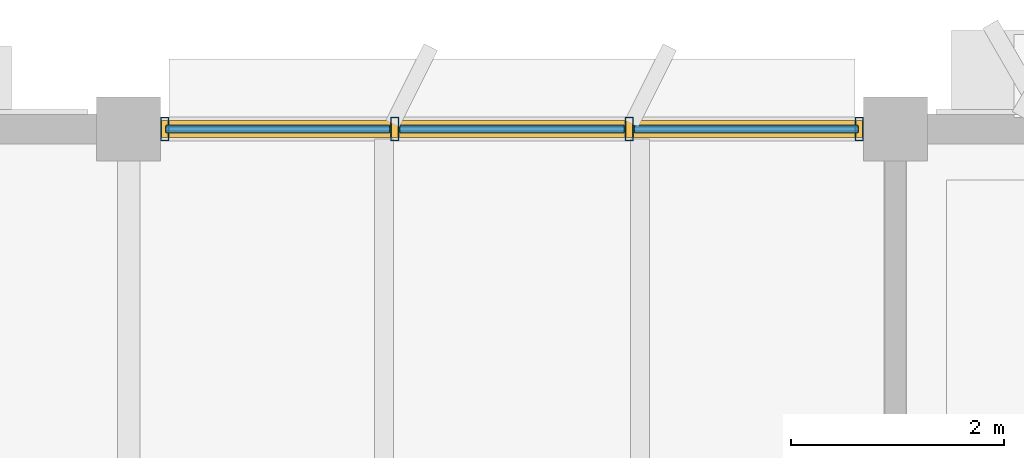
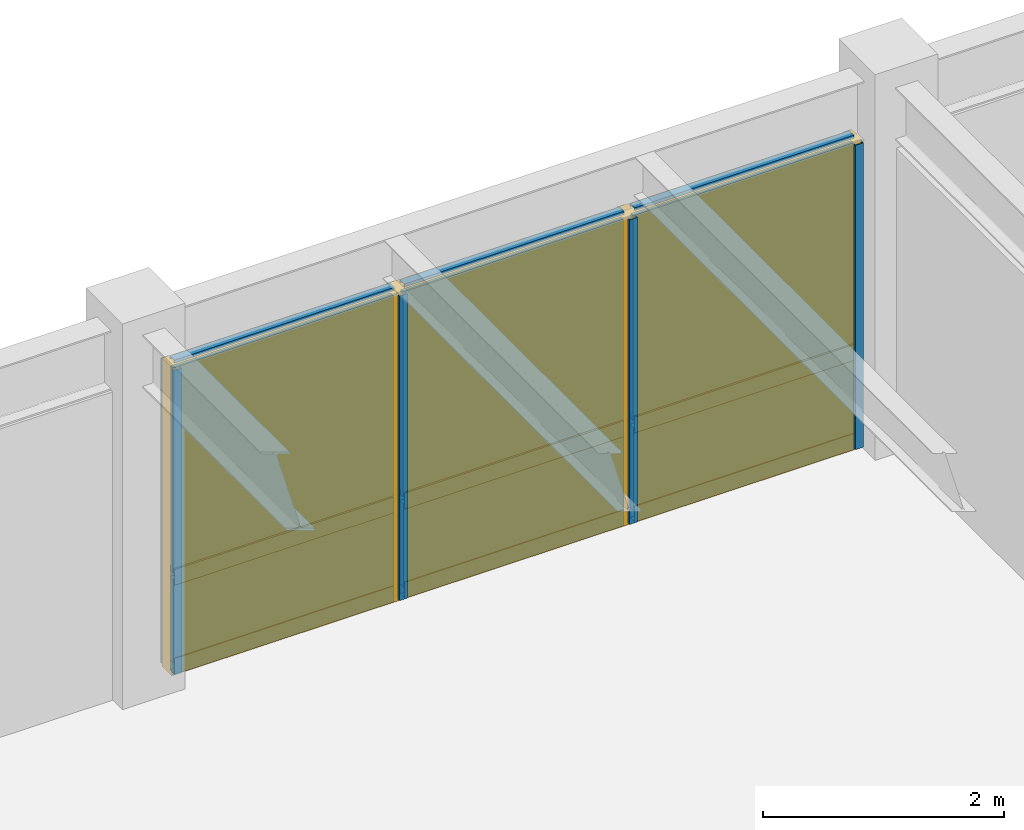
# One storey, part 68 of 82: 13 members, 6 plates, 1 curtain wall.
"""IFC4 building model written with IfcOpenShell, lengths in metres."""

from ifc_helpers import new_model, si_unit, direction, frame, origin, origin_2d, place, context, subcontext, project, spatial, rectangle, hollow_rectangle, extrude, material, layer, layer_set, material_profile, profile_set, type_object, element, aggregate, save


model = new_model("IFC4")

# Units and contexts
model_context = context("Model", 3, precision=1e-05, world=origin(), true_north=direction((0.0, 1.0)))
body_context = subcontext(model_context, "Body", "Model", "MODEL_VIEW")
ifc_project = project(units=[si_unit("LENGTHUNIT", "METRE"), si_unit("AREAUNIT", "SQUARE_METRE"), si_unit("VOLUMEUNIT", "CUBIC_METRE"), si_unit("PLANEANGLEUNIT", "RADIAN"), si_unit("MASSUNIT", "GRAM", prefix="KILO")], contexts=[model_context])

# Member
ifc_material_1 = material(Name="Anodized Aluminium 6063-T6", Category="aluminium")
ifc_material_profile_1 = material_profile(ifc_material_1, hollow_rectangle(XDim=0.074951171875, YDim=0.219970703125, WallThickness=0.0048828125, at=origin_2d()), Name="ALU 75x220x5")
ifc_profile_set_1 = profile_set([ifc_material_profile_1], Name="Anodized Aluminium 6063-T6")
member_type_1 = type_object("IfcMemberType", Name="CWM-75X180", PredefinedType="MULLION", material=ifc_profile_set_1)
site_placement = place(None, origin())
building_placement = place(site_placement, origin())
storey_placement = place(building_placement, frame((0.0, 0.0, 14.10009765625)))
member_1_placement = place(storey_placement, frame((93.93994140625, 115.199951171875, 0.02001953125), z_axis=(0.0, 0.0, 1.0), x_axis=(1.0, 0.0, 0.0)))
member_1 = element("IfcMember", 1, at=member_1_placement, type_object=member_type_1, Name="Curtain wall mullion CW-L04-13-15-N-00", PredefinedType="MULLION", context=body_context, shape_type="SweptSolid", body=[
    extrude(hollow_rectangle(XDim=0.074951171875, YDim=0.219970703125, WallThickness=0.0048828125, at=origin_2d()), origin(), (0.0, 0.0, 1.0), 3.077880859375),
])

member_2_placement = place(storey_placement, frame((96.10009765625, 115.199951171875, 0.02001953125), z_axis=(0.0, 0.0, 1.0), x_axis=(1.0, 0.0, 0.0)))
member_2 = element("IfcMember", 2, at=member_2_placement, type_object=member_type_1, Name="Curtain wall mullion CW-L04-13-15-N-01", PredefinedType="MULLION", context=body_context, shape_type="SweptSolid", body=[
    extrude(hollow_rectangle(XDim=0.074951171875, YDim=0.219970703125, WallThickness=0.0048828125, at=origin_2d()), origin(), (0.0, 0.0, 1.0), 3.077880859375),
])

member_3_placement = place(storey_placement, frame((98.300048828125, 115.199951171875, 0.02001953125), z_axis=(0.0, 0.0, 1.0), x_axis=(1.0, 0.0, 0.0)))
member_3 = element("IfcMember", 3, at=member_3_placement, type_object=member_type_1, Name="Curtain wall mullion CW-L04-13-15-N-02", PredefinedType="MULLION", context=body_context, shape_type="SweptSolid", body=[
    extrude(hollow_rectangle(XDim=0.074951171875, YDim=0.219970703125, WallThickness=0.0048828125, at=origin_2d()), origin(), (0.0, 0.0, 1.0), 3.077880859375),
])

member_4_placement = place(storey_placement, frame((100.4599609375, 115.199951171875, 0.02001953125), z_axis=(0.0, 0.0, 1.0), x_axis=(1.0, 0.0, 0.0)))
member_4 = element("IfcMember", 4, at=member_4_placement, type_object=member_type_1, Name="Curtain wall mullion CW-L04-13-15-N-03", PredefinedType="MULLION", context=body_context, shape_type="SweptSolid", body=[
    extrude(hollow_rectangle(XDim=0.074951171875, YDim=0.219970703125, WallThickness=0.0048828125, at=origin_2d()), origin(), (0.0, 0.0, 1.0), 3.077880859375),
])

ifc_material_profile_2 = material_profile(ifc_material_1, hollow_rectangle(XDim=0.074951171875, YDim=0.159912109375, WallThickness=0.00390625, at=origin_2d()), Name="ALU 75x160x4")
ifc_profile_set_2 = profile_set([ifc_material_profile_2], Name="Anodized Aluminium 6063-T6")
member_type_2 = type_object("IfcMemberType", Name="CWT-75X150", PredefinedType="USERDEFINED", material=ifc_profile_set_2)
member_5_placement = place(storey_placement, frame((93.949951171875, 115.199951171875, 0.0498046875), z_axis=(1.0, 0.0, 0.0), x_axis=(0.0, 1.0, 0.0)))
member_5 = element("IfcMember", 5, at=member_5_placement, type_object=member_type_2, Name="Curtain wall transom CW-L04-13-15-N-1.01", ObjectType="TRANSOM", PredefinedType="USERDEFINED", context=body_context, shape_type="SweptSolid", body=[
    extrude(hollow_rectangle(XDim=0.074951171875, YDim=0.159912109375, WallThickness=0.00390625, at=origin_2d()), origin(), (0.0, 0.0, 1.0), 2.10009765625),
])

member_6_placement = place(storey_placement, frame((96.14990234375, 115.199951171875, 0.0498046875), z_axis=(1.0, 0.0, 0.0), x_axis=(0.0, 1.0, 0.0)))
member_6 = element("IfcMember", 6, at=member_6_placement, type_object=member_type_2, Name="Curtain wall transom CW-L04-13-15-N-1.02", ObjectType="TRANSOM", PredefinedType="USERDEFINED", context=body_context, shape_type="SweptSolid", body=[
    extrude(hollow_rectangle(XDim=0.074951171875, YDim=0.159912109375, WallThickness=0.00390625, at=origin_2d()), origin(), (0.0, 0.0, 1.0), 2.10009765625),
])

member_7_placement = place(storey_placement, frame((98.35009765625, 115.199951171875, 0.0498046875), z_axis=(1.0, 0.0, 0.0), x_axis=(0.0, 1.0, 0.0)))
member_7 = element("IfcMember", 7, at=member_7_placement, type_object=member_type_2, Name="Curtain wall transom CW-L04-13-15-N-1.03", ObjectType="TRANSOM", PredefinedType="USERDEFINED", context=body_context, shape_type="SweptSolid", body=[
    extrude(hollow_rectangle(XDim=0.074951171875, YDim=0.159912109375, WallThickness=0.00390625, at=origin_2d()), origin(), (0.0, 0.0, 1.0), 2.099853515625),
])

member_8_placement = place(storey_placement, frame((93.949951171875, 115.199951171875, 0.949951171875), z_axis=(1.0, 0.0, 0.0), x_axis=(0.0, 1.0, 0.0)))
member_8 = element("IfcMember", 8, at=member_8_placement, type_object=member_type_2, Name="Curtain wall transom CW-L04-13-15-N-2.01", ObjectType="TRANSOM", PredefinedType="USERDEFINED", context=body_context, shape_type="SweptSolid", body=[
    extrude(hollow_rectangle(XDim=0.074951171875, YDim=0.159912109375, WallThickness=0.00390625, at=origin_2d()), origin(), (0.0, 0.0, 1.0), 2.10009765625),
])

member_9_placement = place(storey_placement, frame((96.14990234375, 115.199951171875, 0.949951171875), z_axis=(1.0, 0.0, 0.0), x_axis=(0.0, 1.0, 0.0)))
member_9 = element("IfcMember", 9, at=member_9_placement, type_object=member_type_2, Name="Curtain wall transom CW-L04-13-15-N-2.02", ObjectType="TRANSOM", PredefinedType="USERDEFINED", context=body_context, shape_type="SweptSolid", body=[
    extrude(hollow_rectangle(XDim=0.074951171875, YDim=0.159912109375, WallThickness=0.00390625, at=origin_2d()), origin(), (0.0, 0.0, 1.0), 2.10009765625),
])

member_10_placement = place(storey_placement, frame((98.35009765625, 115.199951171875, 0.949951171875), z_axis=(1.0, 0.0, 0.0), x_axis=(0.0, 1.0, 0.0)))
member_10 = element("IfcMember", 10, at=member_10_placement, type_object=member_type_2, Name="Curtain wall transom CW-L04-13-15-N-2.03", ObjectType="TRANSOM", PredefinedType="USERDEFINED", context=body_context, shape_type="SweptSolid", body=[
    extrude(hollow_rectangle(XDim=0.074951171875, YDim=0.159912109375, WallThickness=0.00390625, at=origin_2d()), origin(), (0.0, 0.0, 1.0), 2.099853515625),
])

member_11_placement = place(storey_placement, frame((93.949951171875, 115.199951171875, 3.06787109375), z_axis=(1.0, 0.0, 0.0), x_axis=(0.0, 1.0, 0.0)))
member_11 = element("IfcMember", 11, at=member_11_placement, type_object=member_type_2, Name="Curtain wall transom CW-L04-13-15-N-3.01", ObjectType="TRANSOM", PredefinedType="USERDEFINED", context=body_context, shape_type="SweptSolid", body=[
    extrude(hollow_rectangle(XDim=0.074951171875, YDim=0.159912109375, WallThickness=0.00390625, at=origin_2d()), origin(), (0.0, 0.0, 1.0), 2.10009765625),
])

member_12_placement = place(storey_placement, frame((96.14990234375, 115.199951171875, 3.06787109375), z_axis=(1.0, 0.0, 0.0), x_axis=(0.0, 1.0, 0.0)))
member_12 = element("IfcMember", 12, at=member_12_placement, type_object=member_type_2, Name="Curtain wall transom CW-L04-13-15-N-3.02", ObjectType="TRANSOM", PredefinedType="USERDEFINED", context=body_context, shape_type="SweptSolid", body=[
    extrude(hollow_rectangle(XDim=0.074951171875, YDim=0.159912109375, WallThickness=0.00390625, at=origin_2d()), origin(), (0.0, 0.0, 1.0), 2.10009765625),
])

member_13_placement = place(storey_placement, frame((98.35009765625, 115.199951171875, 3.06787109375), z_axis=(1.0, 0.0, 0.0), x_axis=(0.0, 1.0, 0.0)))
member_13 = element("IfcMember", 13, at=member_13_placement, type_object=member_type_2, Name="Curtain wall transom CW-L04-13-15-N-3.03", ObjectType="TRANSOM", PredefinedType="USERDEFINED", context=body_context, shape_type="SweptSolid", body=[
    extrude(hollow_rectangle(XDim=0.074951171875, YDim=0.159912109375, WallThickness=0.00390625, at=origin_2d()), origin(), (0.0, 0.0, 1.0), 2.099853515625),
])

# Plate
ifc_material_2 = material(Name="Acoustic Laminated Low-E Glazing", Category="glass")
ifc_layer_1 = layer(ifc_material_2, 0.0439453125)
ifc_layer_set_1 = layer_set([ifc_layer_1], Name="Acoustic Laminated Low-E Glazing")
plate_type_1 = type_object("IfcPlateType", Name="CWP-IGU-44", PredefinedType="CURTAIN_PANEL", material=ifc_layer_set_1)
plate_1_placement = place(storey_placement, frame((95.0, 115.199951171875, 0.98974609375), z_axis=(0.0, 0.0, 1.0), x_axis=(1.0, 0.0, 0.0)))
plate_1 = element("IfcPlate", 14, at=plate_1_placement, type_object=plate_type_1, Name="Curtain wall vision glazing CW-L04-13-15-N-01", PredefinedType="CURTAIN_PANEL", context=body_context, shape_type="SweptSolid", body=[
    extrude(rectangle(XDim=2.110107421875, YDim=0.0400390625, at=origin_2d()), origin(), (0.0, 0.0, 1.0), 2.068115234375),
])

plate_2_placement = place(storey_placement, frame((97.199951171875, 115.199951171875, 0.98974609375), z_axis=(0.0, 0.0, 1.0), x_axis=(1.0, 0.0, 0.0)))
plate_2 = element("IfcPlate", 15, at=plate_2_placement, type_object=plate_type_1, Name="Curtain wall vision glazing CW-L04-13-15-N-02", PredefinedType="CURTAIN_PANEL", context=body_context, shape_type="SweptSolid", body=[
    extrude(rectangle(XDim=2.110107421875, YDim=0.0400390625, at=origin_2d()), origin(), (0.0, 0.0, 1.0), 2.068115234375),
])

plate_3_placement = place(storey_placement, frame((99.39990234375, 115.199951171875, 0.98974609375), z_axis=(0.0, 0.0, 1.0), x_axis=(1.0, 0.0, 0.0)))
plate_3 = element("IfcPlate", 16, at=plate_3_placement, type_object=plate_type_1, Name="Curtain wall vision glazing CW-L04-13-15-N-03", PredefinedType="CURTAIN_PANEL", context=body_context, shape_type="SweptSolid", body=[
    extrude(rectangle(XDim=2.110107421875, YDim=0.0400390625, at=origin_2d()), origin(), (0.0, 0.0, 1.0), 2.068115234375),
])

ifc_material_3 = material(Name="Insulated Stone-Composite Spandrel", Category="masonry")
ifc_layer_2 = layer(ifc_material_3, 0.068115234375)
ifc_layer_set_2 = layer_set([ifc_layer_2], Name="Insulated Stone-Composite Spandrel")
plate_type_2 = type_object("IfcPlateType", Name="CWP-SPN-68", PredefinedType="CURTAIN_PANEL", material=ifc_layer_set_2)
plate_4_placement = place(storey_placement, frame((95.0, 115.199951171875, 0.080078125), z_axis=(0.0, 0.0, 1.0), x_axis=(1.0, 0.0, 0.0)))
plate_4 = element("IfcPlate", 17, at=plate_4_placement, type_object=plate_type_2, Name="Curtain wall spandrel panel CW-L04-13-15-N-01", PredefinedType="CURTAIN_PANEL", context=body_context, shape_type="SweptSolid", body=[
    extrude(rectangle(XDim=2.110107421875, YDim=0.06005859375, at=origin_2d()), origin(), (0.0, 0.0, 1.0), 0.840087890625),
])

plate_5_placement = place(storey_placement, frame((97.199951171875, 115.199951171875, 0.080078125), z_axis=(0.0, 0.0, 1.0), x_axis=(1.0, 0.0, 0.0)))
plate_5 = element("IfcPlate", 18, at=plate_5_placement, type_object=plate_type_2, Name="Curtain wall spandrel panel CW-L04-13-15-N-02", PredefinedType="CURTAIN_PANEL", context=body_context, shape_type="SweptSolid", body=[
    extrude(rectangle(XDim=2.110107421875, YDim=0.06005859375, at=origin_2d()), origin(), (0.0, 0.0, 1.0), 0.840087890625),
])

plate_6_placement = place(storey_placement, frame((99.39990234375, 115.199951171875, 0.080078125), z_axis=(0.0, 0.0, 1.0), x_axis=(1.0, 0.0, 0.0)))
plate_6 = element("IfcPlate", 19, at=plate_6_placement, type_object=plate_type_2, Name="Curtain wall spandrel panel CW-L04-13-15-N-03", PredefinedType="CURTAIN_PANEL", context=body_context, shape_type="SweptSolid", body=[
    extrude(rectangle(XDim=2.110107421875, YDim=0.06005859375, at=origin_2d()), origin(), (0.0, 0.0, 1.0), 0.840087890625),
])

# Site, building, storey
site = spatial("IfcSite", under=ifc_project, at=site_placement, CompositionType="ELEMENT")
building = spatial("IfcBuilding", under=site, at=building_placement, Name="Sillqori Civic Hall", CompositionType="ELEMENT")
storey = spatial("IfcBuildingStorey", under=building, at=storey_placement, Name="L04", CompositionType="ELEMENT", Elevation=14.10009765625)

# Curtain wall
ifc_material_4 = material(Name="Anodized Aluminium Curtain Wall System", Category="aluminium")
curtain_wall_type = type_object("IfcCurtainWallType", Name="CW-AD-370", PredefinedType="NOTDEFINED", material=ifc_material_4)
curtain_wall_placement = place(storey_placement, frame((97.199951171875, 115.199951171875, 0.0), z_axis=(0.0, 0.0, 1.0), x_axis=(1.0, 0.0, 0.0)))
curtain_wall = element("IfcCurtainWall", 20, at=curtain_wall_placement, inside=storey, type_object=curtain_wall_type, Name="L04 unitised curtain wall CW-L04-13-15-N", PredefinedType="NOTDEFINED", context=body_context, shape_type="SweptSolid", body=[
    extrude(rectangle(XDim=6.60009765625, YDim=0.159912109375, at=origin_2d()), origin(), (0.0, 0.0, 1.0), 3.117919921875),
])

aggregate(curtain_wall, [member_1, member_2, member_3, member_4, member_5, member_6, member_7, member_8, member_9, member_10, member_11, member_12, member_13, plate_4, plate_1, plate_5, plate_2, plate_6, plate_3])

save(model, "model.ifc")
